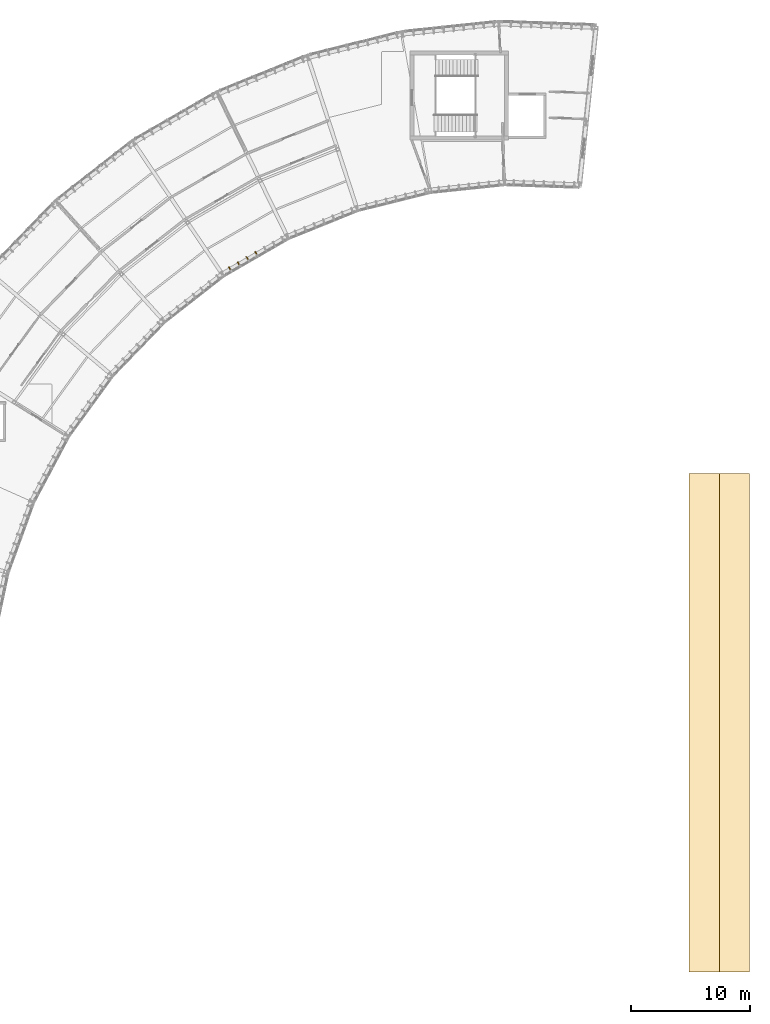
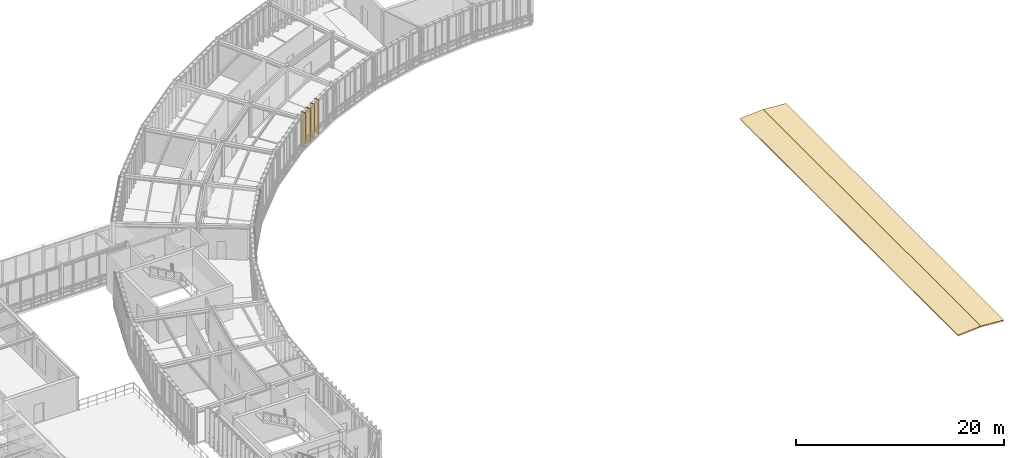
# One storey, part 50 of 52: 6 coverings.
"""IFC4 building model written with IfcOpenShell, lengths in metres."""

from ifc_helpers import new_model, si_unit, direction, frame, origin, origin_2d, place, context, subcontext, project, spatial, polyline, rectangle, outline, extrude, material, layer, layer_set, type_object, element, save


model = new_model("IFC4")

# Units and contexts
model_context = context("Model", 3, precision=1e-05, world=origin(), true_north=direction((0.0, 1.0)))
body_context = subcontext(model_context, "Body", "Model", "MODEL_VIEW")
ifc_project = project(units=[si_unit("LENGTHUNIT", "METRE"), si_unit("AREAUNIT", "SQUARE_METRE"), si_unit("VOLUMEUNIT", "CUBIC_METRE"), si_unit("PLANEANGLEUNIT", "RADIAN"), si_unit("MASSUNIT", "GRAM", prefix="KILO"), si_unit("THERMODYNAMICTEMPERATUREUNIT", "KELVIN"), si_unit("POWERUNIT", "WATT")], contexts=[model_context])

# Site, building, storey
site_placement = place(None, origin())
site = spatial("IfcSite", under=ifc_project, at=site_placement, CompositionType="ELEMENT")
building_placement = place(site_placement, origin())
building = spatial("IfcBuilding", under=site, at=building_placement, Name="Solvatero Civic Police Headquarters", CompositionType="ELEMENT")
storey_placement = place(building_placement, frame((0.0, 0.0, 13.5)))
storey = spatial("IfcBuildingStorey", under=building, at=storey_placement, Name="L03", CompositionType="ELEMENT", Elevation=13.5)

# Coverings
ifc_material = material(Name="Anodized Bronze Aluminium", Category="aluminium")
ifc_layer_1 = layer(ifc_material, 0.080078125)
ifc_layer_set_1 = layer_set([ifc_layer_1], Name="Anodized Bronze Aluminium")
covering_type_1 = type_object("IfcCoveringType", Name="COV-FIN-480", PredefinedType="CLADDING", material=ifc_layer_set_1)
for number, where, z_axis, x_axis, name in (
    (1, (71.540283203125, 65.24853515625, -0.02001953125), (0.0, 0.0, 1.0), (-0.866025403784, -0.5, 0.0), "Vertical Brise-Soleil Fin 0643"),
    (2, (70.80419921875, 64.823486328125, -0.02001953125), (0.0, 0.0, 1.0), (-0.866025403784, -0.5, 0.0), "Vertical Brise-Soleil Fin 0644"),
    (3, (70.068115234375, 64.398681640625, -0.02001953125), (0.0, 0.0, 1.0), (-0.866025403784, -0.5, 0.0), "Vertical Brise-Soleil Fin 0645"),
    (4, (69.331787109375, 63.9736328125, -0.02001953125), (0.0, 0.0, 1.0), (-0.866025403784, -0.5, 0.0), "Vertical Brise-Soleil Fin 0646"),
):
    element("IfcCovering", number, at=place(storey_placement, frame(where, z_axis=z_axis, x_axis=x_axis)), inside=storey, type_object=covering_type_1, Name=name, PredefinedType="CLADDING", context=body_context, shape_type="SweptSolid", body=[
        extrude(rectangle(XDim=0.080078125, YDim=0.47998046875, at=origin_2d()), origin(), (0.0, 0.0, 1.0), 4.0400390625),
    ])
ifc_layer_2 = layer(ifc_material, 0.0400390625)
ifc_layer_set_2 = layer_set([ifc_layer_2], Name="Anodized Bronze Aluminium")
covering_type_2 = type_object("IfcCoveringType", Name="COV-RF-ZINC", PredefinedType="ROOFING", material=ifc_layer_set_2)
for number, where, z_axis, x_axis, name in (
    (5, (107.94482421875, 4.800048828125, 0.152099609375), (-0.073373256584, 0.0, 0.997304549883), (0.997304549883, 0.0, 0.073373256584), "VLT1 Standing-Seam Vault Roof Covering 5"),
    (6, (110.5, 4.800048828125, 0.340087890625), (0.073373256584, 0.0, 0.997304549883), (0.997304549883, 0.0, -0.073373256584), "VLT1 Standing-Seam Vault Roof Covering 6"),
):
    element("IfcCovering", number, at=place(storey_placement, frame(where, z_axis=z_axis, x_axis=x_axis)), inside=storey, type_object=covering_type_2, Name=name, PredefinedType="ROOFING", context=body_context, shape_type="SweptSolid", body=[
        extrude(outline(polyline([(0.0, 0.0), (2.562081744787601, 0.0), (2.562081744787601, 41.99999999999999), (0.0, 41.99999999999999), (0.0, 0.0)])), origin(), (0.0, 0.0, -1.0), 0.0400390625),
    ])

save(model, "model.ifc")
